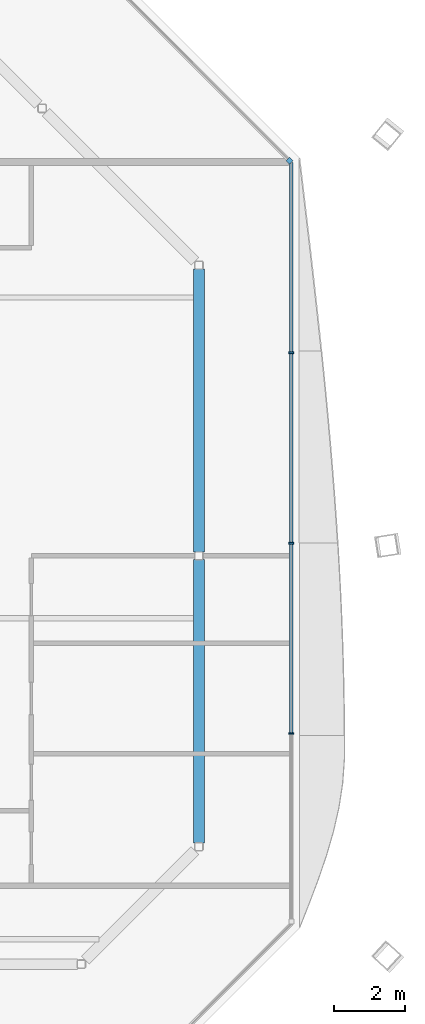
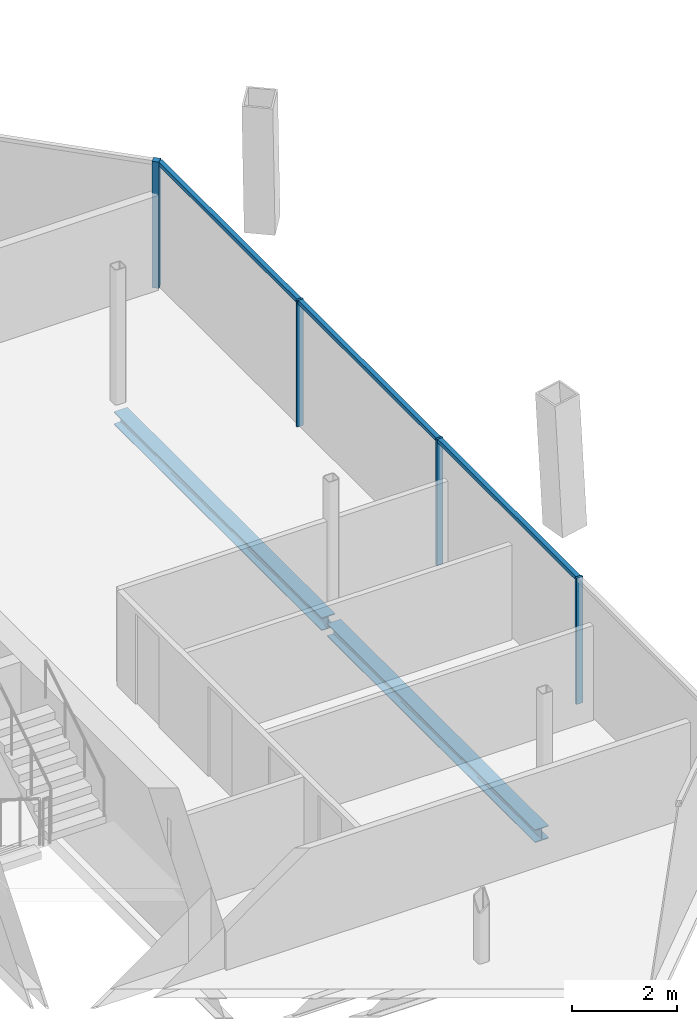
# One storey, part 7 of 16: 7 members, 2 beams, 2 elements without a shape of their own.
"""IFC4 building model written with IfcOpenShell, lengths in metres."""

from ifc_helpers import new_model, si_unit, direction, frame, origin, origin_2d, place, context, subcontext, project, spatial, rectangle, i_section, extrude, material, material_profile, profile_set, type_object, element, aggregate, save


model = new_model("IFC4")

# Units and contexts
model_context = context("Model", 3, precision=1e-05, world=origin(), true_north=direction((0.0, 1.0)))
body_context = subcontext(model_context, "Body", "Model", "MODEL_VIEW")
ifc_project = project(units=[si_unit("LENGTHUNIT", "METRE"), si_unit("AREAUNIT", "SQUARE_METRE"), si_unit("VOLUMEUNIT", "CUBIC_METRE"), si_unit("PLANEANGLEUNIT", "RADIAN"), si_unit("MASSUNIT", "GRAM", prefix="KILO")], contexts=[model_context])

# Site, building, storey
site_placement = place(None, origin())
site = spatial("IfcSite", under=ifc_project, at=site_placement, CompositionType="ELEMENT")
building_placement = place(site_placement, origin())
building = spatial("IfcBuilding", under=site, at=building_placement, Name="Tskaro Facet Tower", CompositionType="ELEMENT")
storey_placement = place(building_placement, frame((0.0, 0.0, 265.800048828125)))
storey = spatial("IfcBuildingStorey", under=building, at=storey_placement, Name="L70", CompositionType="ELEMENT", Elevation=265.800048828125)

# Curtain wall, member
ifc_material_1 = material(Name="Bronze anodised aluminium 6063-T6", Category="aluminium")
curtain_wall_type = type_object("IfcCurtainWallType", Name="Bronze residence curtain wall (FW3)", PredefinedType="NOTDEFINED", material=ifc_material_1)
curtain_wall_1_placement = place(storey_placement, origin())
curtain_wall_1 = element("IfcCurtainWall", 1, at=curtain_wall_1_placement, inside=storey, type_object=curtain_wall_type, Name="FW3 north-east facet L70", PredefinedType="NOTDEFINED")
ifc_material_profile_1 = material_profile(ifc_material_1, rectangle(XDim=0.139892578125, YDim=0.139892578125, at=origin_2d()), Name="Corner post 140x140")
ifc_profile_set_1 = profile_set([ifc_material_profile_1], Name="Bronze anodised aluminium 6063-T6")
member_type_1 = type_object("IfcMemberType", Name="FW3 bronze corner post 140x140", PredefinedType="MULLION", material=ifc_profile_set_1)
member_1_placement = place(storey_placement, frame((19.743408203125, 8.33642578125, 0.0), z_axis=(0.0, 0.0, 1.0), x_axis=(-0.707106781187, 0.707106781187, 0.0)))
member_1 = element("IfcMember", 2, at=member_1_placement, type_object=member_type_1, Name="FW3 north-east corner post", PredefinedType="MULLION", context=body_context, shape_type="SweptSolid", body=[
    extrude(rectangle(XDim=0.139892578125, YDim=0.139892578125, at=origin_2d()), origin(), (0.0, 0.0, 1.0), 2.949951171875),
])
aggregate(curtain_wall_1, [member_1])

# Curtain wall, members
curtain_wall_2_placement = place(storey_placement, origin())
curtain_wall_2 = element("IfcCurtainWall", 3, at=curtain_wall_2_placement, inside=storey, type_object=curtain_wall_type, Name="FW3 east facet L70", PredefinedType="NOTDEFINED")
ifc_material_profile_2 = material_profile(ifc_material_1, rectangle(XDim=0.050048828125, YDim=0.139892578125, at=origin_2d()), Name="Mullion 50x140")
ifc_profile_set_2 = profile_set([ifc_material_profile_2], Name="Bronze anodised aluminium 6063-T6")
member_type_2 = type_object("IfcMemberType", Name="FW3 bronze mullion 50x140", PredefinedType="MULLION", material=ifc_profile_set_2)
member_2_placement = place(storey_placement, frame((19.79296875, -7.730712890625, 0.0), z_axis=(0.0, 0.0, 1.0), x_axis=(0.0, 1.0, 0.0)))
member_2 = element("IfcMember", 4, at=member_2_placement, type_object=member_type_2, Name="FW3 east mullion 1", PredefinedType="MULLION", context=body_context, shape_type="SweptSolid", body=[
    extrude(rectangle(XDim=0.050048828125, YDim=0.139892578125, at=origin_2d()), origin(), (0.0, 0.0, 1.0), 2.949951171875),
])
member_3_placement = place(storey_placement, frame((19.79296875, -2.3916015625, 0.0), z_axis=(0.0, 0.0, 1.0), x_axis=(0.0, 1.0, 0.0)))
member_3 = element("IfcMember", 5, at=member_3_placement, type_object=member_type_2, Name="FW3 east mullion 2", PredefinedType="MULLION", context=body_context, shape_type="SweptSolid", body=[
    extrude(rectangle(XDim=0.050048828125, YDim=0.139892578125, at=origin_2d()), origin(), (0.0, 0.0, 1.0), 2.949951171875),
])
member_4_placement = place(storey_placement, frame((19.79296875, 2.94775390625, 0.0), z_axis=(0.0, 0.0, 1.0), x_axis=(0.0, 1.0, 0.0)))
member_4 = element("IfcMember", 6, at=member_4_placement, type_object=member_type_2, Name="FW3 east mullion 3", PredefinedType="MULLION", context=body_context, shape_type="SweptSolid", body=[
    extrude(rectangle(XDim=0.050048828125, YDim=0.139892578125, at=origin_2d()), origin(), (0.0, 0.0, 1.0), 2.949951171875),
])
ifc_material_profile_3 = material_profile(ifc_material_1, rectangle(XDim=0.10009765625, YDim=0.090087890625, at=origin_2d()), Name="Transom 100x90")
ifc_profile_set_3 = profile_set([ifc_material_profile_3], Name="Bronze anodised aluminium 6063-T6")
member_type_3 = type_object("IfcMemberType", Name="FW3 bronze transom 100x90", PredefinedType="USERDEFINED", material=ifc_profile_set_3)
member_5_placement = place(storey_placement, frame((19.79296875, -7.705810546875, 2.905029296875), z_axis=(0.0, 1.0, 0.0), x_axis=(-1.0, 0.0, 0.0)))
member_5 = element("IfcMember", 7, at=member_5_placement, type_object=member_type_3, Name="FW3 east transom 2.1", ObjectType="TRANSOM", PredefinedType="USERDEFINED", context=body_context, shape_type="SweptSolid", body=[
    extrude(rectangle(XDim=0.10009765625, YDim=0.090087890625, at=origin_2d()), origin(), (0.0, 0.0, 1.0), 5.289306640625),
])
member_6_placement = place(storey_placement, frame((19.79296875, -2.366455078125, 2.905029296875), z_axis=(0.0, 1.0, 0.0), x_axis=(-1.0, 0.0, 0.0)))
member_6 = element("IfcMember", 8, at=member_6_placement, type_object=member_type_3, Name="FW3 east transom 3.1", ObjectType="TRANSOM", PredefinedType="USERDEFINED", context=body_context, shape_type="SweptSolid", body=[
    extrude(rectangle(XDim=0.10009765625, YDim=0.090087890625, at=origin_2d()), origin(), (0.0, 0.0, 1.0), 5.289306640625),
])
member_7_placement = place(storey_placement, frame((19.79296875, 2.97265625, 2.905029296875), z_axis=(0.0, 1.0, 0.0), x_axis=(-1.0, 0.0, 0.0)))
member_7 = element("IfcMember", 9, at=member_7_placement, type_object=member_type_3, Name="FW3 east transom 4.1", ObjectType="TRANSOM", PredefinedType="USERDEFINED", context=body_context, shape_type="SweptSolid", body=[
    extrude(rectangle(XDim=0.10009765625, YDim=0.090087890625, at=origin_2d()), origin(), (0.0, 0.0, 1.0), 5.314453125),
])
aggregate(curtain_wall_2, [member_2, member_3, member_4, member_5, member_6, member_7])

# Beams
ifc_material_2 = material(Name="Steel S355J2", Category="steel")
ifc_material_profile_4 = material_profile(ifc_material_2, i_section(OverallWidth=0.300048828125, OverallDepth=0.300048828125, WebThickness=0.010986328125, FlangeThickness=0.01904296875, FilletRadius=0.027099609375, at=origin_2d()), Name="HE 300 B")
ifc_profile_set_4 = profile_set([ifc_material_profile_4], Name="Steel S355J2")
beam_type = type_object("IfcBeamType", Name="HE 300 B ring beam", PredefinedType="BEAM", material=ifc_profile_set_4)
for number, where, z_axis, x_axis, name in (
    (10, (17.199951171875, -10.798095703125, -0.2900390625), (0.0, 1.0, 0.0), (-1.0, 0.0, 0.0), "HE 300 B EB5-6"),
    (11, (17.199951171875, -2.64501953125, -0.2900390625), (0.0, 1.0, 0.0), (-1.0, 0.0, 0.0), "HE 300 B EB6-6"),
):
    element("IfcBeam", number, at=place(storey_placement, frame(where, z_axis=z_axis, x_axis=x_axis)), inside=storey, type_object=beam_type, Name=name, PredefinedType="BEAM", context=body_context, shape_type="SweptSolid", body=[
        extrude(i_section(OverallWidth=0.300048828125, OverallDepth=0.300048828125, WebThickness=0.010986328125, FlangeThickness=0.01904296875, FilletRadius=0.027099609375, at=origin_2d()), origin(), (0.0, 0.0, 1.0), 7.943115234375),
    ])

save(model, "model.ifc")
